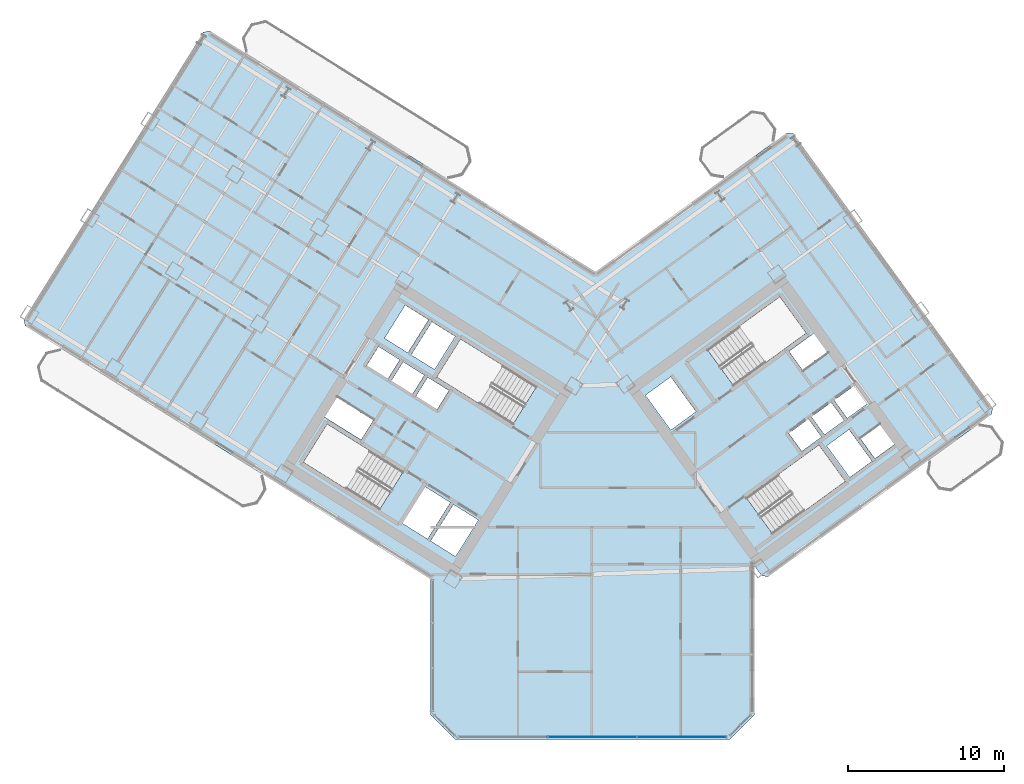
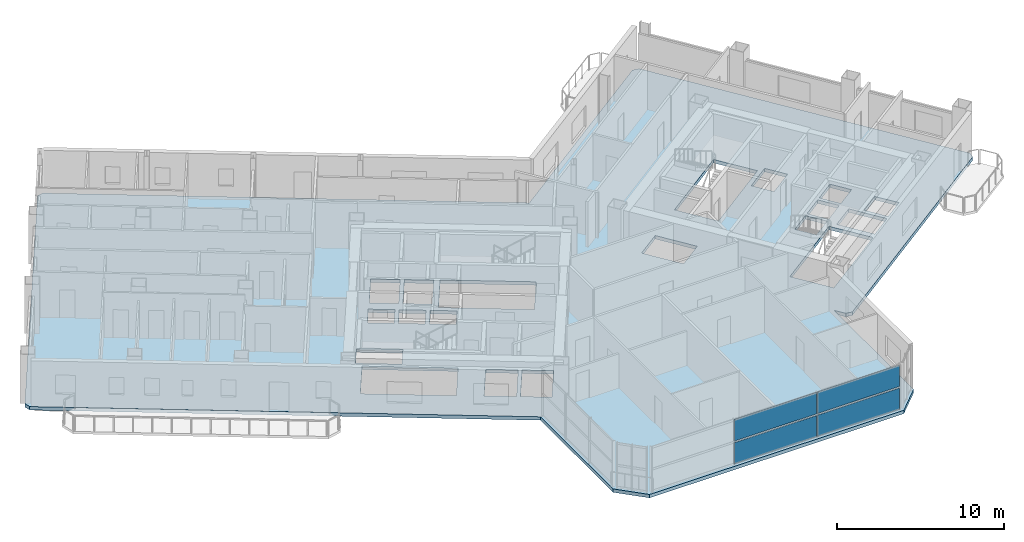
# One storey, part 9 of 21: 4 plates, 1 slab, 1 element without a shape of its own.
"""IFC4 building model written with IfcOpenShell, lengths in metres."""

from ifc_helpers import new_model, si_unit, direction, frame, origin, origin_2d, place, context, subcontext, project, spatial, polyline, rectangle, outline, extrude, source, transform, mapped, material, layer, layer_set, type_object, element, aggregate, save


model = new_model("IFC4")

# Units and contexts
model_context = context("Model", 3, precision=1e-05, world=origin(), true_north=direction((0.0, 1.0)))
body_context = subcontext(model_context, "Body", "Model", "MODEL_VIEW")
ifc_project = project(units=[si_unit("LENGTHUNIT", "METRE"), si_unit("AREAUNIT", "SQUARE_METRE"), si_unit("VOLUMEUNIT", "CUBIC_METRE"), si_unit("PLANEANGLEUNIT", "RADIAN"), si_unit("MASSUNIT", "GRAM", prefix="KILO")], contexts=[model_context])

# Site, building, storey
site_placement = place(None, origin())
site = spatial("IfcSite", under=ifc_project, at=site_placement, CompositionType="ELEMENT")
building_placement = place(site_placement, origin())
building = spatial("IfcBuilding", under=site, at=building_placement, Name="Tlacorven Tower", CompositionType="ELEMENT")
storey_placement = place(building_placement, frame((0.0, 0.0, 90.0)))
storey = spatial("IfcBuildingStorey", under=building, at=storey_placement, Name="L22", CompositionType="ELEMENT", Elevation=90.0)

# Slab
ifc_material_1 = material(Name="Concrete C40/50", Category="concrete")
ifc_layer_1 = layer(ifc_material_1, 0.25)
ifc_layer_set_1 = layer_set([ifc_layer_1], Name="Concrete C40/50")
slab_type = type_object("IfcSlabType", Name="SL-TWR-250", PredefinedType="FLOOR", material=ifc_layer_set_1)
slab_placement = place(storey_placement, frame((0.0, 0.0, -0.25)))
element("IfcSlab", 1, at=slab_placement, inside=storey, type_object=slab_type, Name="L22 Boomerang Tower Floor Slab", PredefinedType="FLOOR", context=body_context, shape_type="SweptSolid", body=[
    extrude(outline(polyline([(52.39990234375, 3.39990234375), (50.800048828125, 1.800048828125), (33.199951171875, 1.800048828125), (31.60009765625, 3.39990234375), (31.60009765625, 12.09423828125), (5.62451171875, 28.32568359375), (5.529052734375, 28.739013671875), (17.0390625, 47.15869140625), (17.452392578125, 47.254150390625), (42.19970703125, 31.790283203125), (54.481689453125, 40.713623046875), (54.90087890625, 40.647216796875), (67.66748046875, 23.075439453125), (67.60107421875, 22.656494140625), (53.265380859375, 12.24072265625), (52.846435546875, 12.30712890625), (52.39990234375, 12.921630859375), (52.39990234375, 3.39990234375)]), holes=[polyline([(29.865478515625, 18.979736328125), (24.9892578125, 22.02685546875), (23.463134765625, 19.58447265625), (28.33935546875, 16.537353515625), (29.865478515625, 18.979736328125)]), polyline([(38.4169921875, 24.4375), (33.540771484375, 27.484375), (32.0146484375, 25.0419921875), (36.890869140625, 21.9951171875), (38.4169921875, 24.4375)]), polyline([(51.05908203125, 24.481689453125), (55.7109375, 27.861572265625), (54.01806640625, 30.19140625), (49.3662109375, 26.811767578125), (51.05908203125, 24.481689453125)]), polyline([(53.56298828125, 14.978759765625), (58.21484375, 18.3583984375), (56.52197265625, 20.6884765625), (51.8701171875, 17.30859375), (53.56298828125, 14.978759765625)]), polyline([(34.682373046875, 15.87548828125), (33.088134765625, 16.871826171875), (31.62548828125, 14.531005859375), (33.2197265625, 13.534912109375), (34.682373046875, 15.87548828125)]), polyline([(32.884521484375, 16.9990234375), (31.2392578125, 18.02685546875), (29.77685546875, 15.686279296875), (31.421875, 14.658203125), (32.884521484375, 16.9990234375)]), polyline([(47.0234375, 21.648681640625), (48.6416015625, 22.82421875), (47.019287109375, 25.05712890625), (45.401123046875, 23.881591796875), (47.0234375, 21.648681640625)]), polyline([(33.197265625, 27.65185546875), (31.704833984375, 28.58447265625), (30.3798828125, 26.46435546875), (31.87255859375, 25.53173828125), (33.197265625, 27.65185546875)]), polyline([(31.484375, 28.722412109375), (29.99169921875, 29.655029296875), (28.6669921875, 27.534912109375), (30.159423828125, 26.602294921875), (31.484375, 28.722412109375)]), polyline([(32.794921875, 24.17724609375), (31.43798828125, 25.025146484375), (30.685546875, 23.82080078125), (32.042236328125, 22.972900390625), (32.794921875, 24.17724609375)]), polyline([(31.217529296875, 25.162841796875), (29.860595703125, 26.0107421875), (29.108154296875, 24.806396484375), (30.465087890625, 23.958740234375), (31.217529296875, 25.162841796875)]), polyline([(29.64013671875, 26.1484375), (28.283203125, 26.996337890625), (27.53076171875, 25.792236328125), (28.8876953125, 24.9443359375), (29.64013671875, 26.1484375)]), polyline([(55.427734375, 20.288818359375), (56.68994140625, 21.205810546875), (55.855224609375, 22.354736328125), (54.59326171875, 21.437744140625), (55.427734375, 20.288818359375)]), polyline([(56.884033203125, 21.346923828125), (58.146240234375, 22.263916015625), (57.3115234375, 23.41259765625), (56.04931640625, 22.495849609375), (56.884033203125, 21.346923828125)]), polyline([(58.34033203125, 22.405029296875), (59.602294921875, 23.322021484375), (58.767578125, 24.470703125), (57.505615234375, 23.5537109375), (58.34033203125, 22.405029296875)]), polyline([(58.498779296875, 18.614013671875), (59.922607421875, 19.648681640625), (58.453125, 21.671142578125), (57.029296875, 20.63671875), (58.498779296875, 18.614013671875)]), polyline([(27.96142578125, 22.2919921875), (25.603759765625, 23.76513671875), (24.80908203125, 22.4931640625), (27.16650390625, 21.02001953125), (27.96142578125, 22.2919921875)]), polyline([(55.490478515625, 25.4765625), (57.092529296875, 26.640380859375), (56.210693359375, 27.85400390625), (54.60888671875, 26.690185546875), (55.490478515625, 25.4765625)]), polyline([(60.12109375, 19.817626953125), (61.38330078125, 20.734619140625), (60.45458984375, 22.012939453125), (59.192626953125, 21.095947265625), (60.12109375, 19.817626953125)])]), origin(), (0.0, 0.0, 1.0), 0.25),
])

# Curtain wall, plates
ifc_material_2 = material(Name="Dark solar low-E double glazing in aluminium frame", Category="aluminium")
curtain_wall_type = type_object("IfcCurtainWallType", Name="CW-TWR-LOW", PredefinedType="USERDEFINED", material=ifc_material_2)
curtain_wall_placement = place(storey_placement, origin())
curtain_wall = element("IfcCurtainWall", 2, at=curtain_wall_placement, inside=storey, type_object=curtain_wall_type, Name="L22 CW-TWR-LOW Curtain Wall 116", ObjectType="UNITISED CURTAIN WALL", PredefinedType="USERDEFINED")
ifc_material_3 = material(Name="Dark solar double low-E glazing", Category="glass")
ifc_layer_2 = layer(ifc_material_3, 0.031982421875)
ifc_layer_set_2 = layer_set([ifc_layer_2], Name="Dark solar double low-E glazing")
plate_type = type_object("IfcPlateType", Name="CWP-02", PredefinedType="CURTAIN_PANEL", material=ifc_layer_set_2)
shared_shape_1 = source(origin(), body_context, "Body", "SweptSolid", [
    extrude(rectangle(XDim=5.668701171875, YDim=0.031982421875, at=origin_2d()), origin(), (0.0, 0.0, 1.0), 1.552978515625),
])
plate_1_placement = place(storey_placement, frame((47.73828125, 1.9599609375, 0.06103515625), z_axis=(0.0, 0.0, 1.0), x_axis=(-1.0, 0.0, 0.0)))
plate_1 = element("IfcPlate", 3, at=plate_1_placement, type_object=plate_type, Name="CW-L22-116 Glazing Panel 1", PredefinedType="CURTAIN_PANEL", context=body_context, shape_type="MappedRepresentation", body=[
    mapped(shared_shape_1, transform((0.0, 0.0, 0.0), scale=1.0)),
])
plate_2_placement = place(storey_placement, frame((47.73828125, 1.9599609375, 1.73583984375), z_axis=(0.0, 0.0, 1.0), x_axis=(-1.0, 0.0, 0.0)))
plate_2 = element("IfcPlate", 4, at=plate_2_placement, type_object=plate_type, Name="CW-L22-116 Glazing Panel 2", PredefinedType="CURTAIN_PANEL", context=body_context, shape_type="MappedRepresentation", body=[
    mapped(shared_shape_1, transform((0.0, 0.0, 0.0), scale=1.0)),
])
shared_shape_2 = source(origin(), body_context, "Body", "SweptSolid", [
    extrude(rectangle(XDim=5.703857421875, YDim=0.031982421875, at=origin_2d()), origin(), (0.0, 0.0, 1.0), 1.552978515625),
])
plate_3_placement = place(storey_placement, frame((42.0, 1.9599609375, 0.06103515625), z_axis=(0.0, 0.0, 1.0), x_axis=(-1.0, 0.0, 0.0)))
plate_3 = element("IfcPlate", 5, at=plate_3_placement, type_object=plate_type, Name="CW-L22-116 Glazing Panel 3", PredefinedType="CURTAIN_PANEL", context=body_context, shape_type="MappedRepresentation", body=[
    mapped(shared_shape_2, transform((0.0, 0.0, 0.0), scale=1.0)),
])
plate_4_placement = place(storey_placement, frame((42.0, 1.9599609375, 1.73583984375), z_axis=(0.0, 0.0, 1.0), x_axis=(-1.0, 0.0, 0.0)))
plate_4 = element("IfcPlate", 6, at=plate_4_placement, type_object=plate_type, Name="CW-L22-116 Glazing Panel 4", PredefinedType="CURTAIN_PANEL", context=body_context, shape_type="MappedRepresentation", body=[
    mapped(shared_shape_2, transform((0.0, 0.0, 0.0), scale=1.0)),
])
aggregate(curtain_wall, [plate_1, plate_2, plate_3, plate_4])

save(model, "model.ifc")
